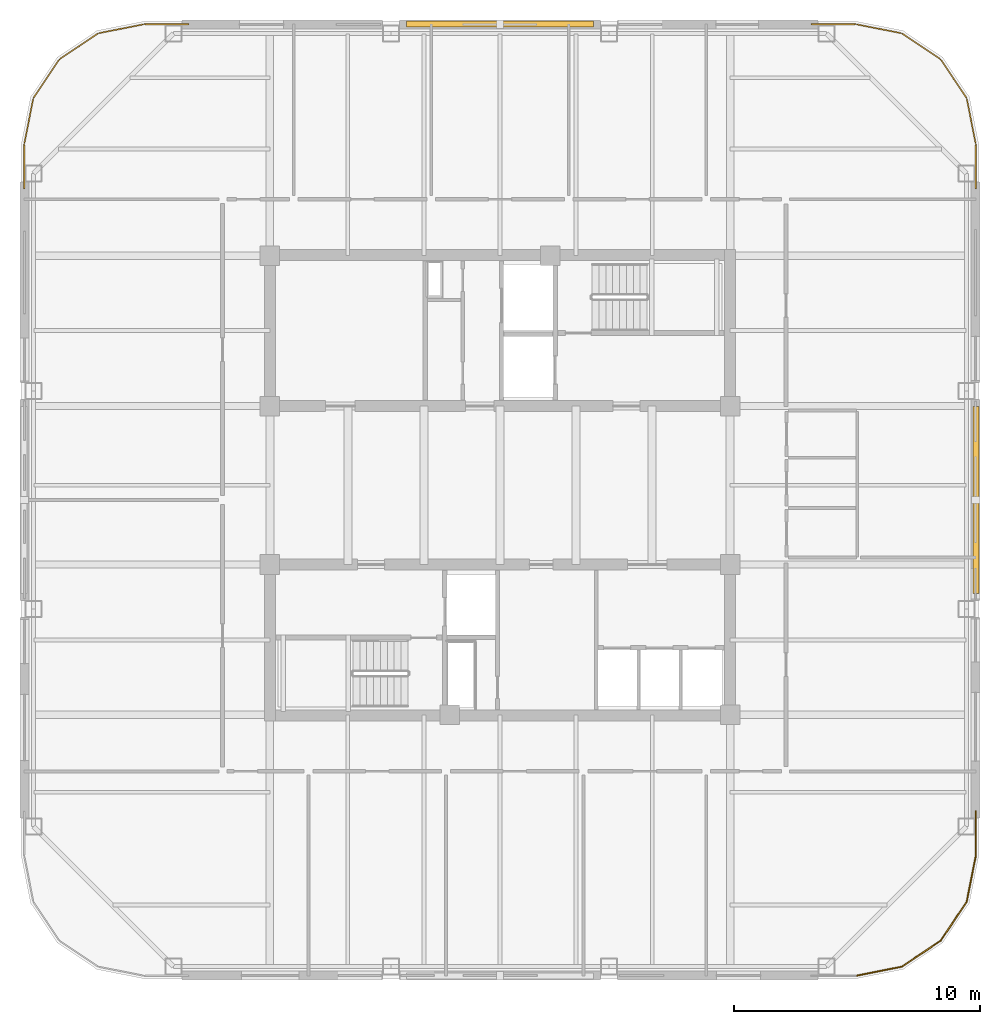
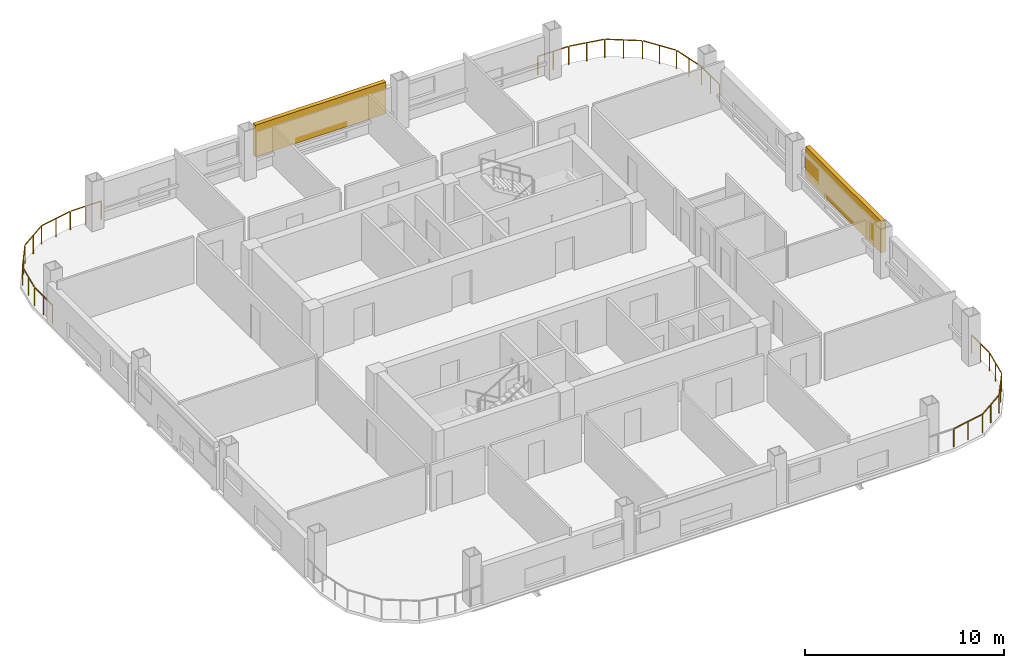
# One storey, part 8 of 8: 3 railings, 2 shading devices.
"""IFC4 building model written with IfcOpenShell, lengths in metres."""

from ifc_helpers import new_model, si_unit, direction, frame, origin, origin_2d, place, context, subcontext, project, spatial, rectangle, extrude, material, type_object, element, save


model = new_model("IFC4")

# Units and contexts
model_context = context("Model", 3, precision=1e-05, world=origin(), true_north=direction((0.0, 1.0)))
body_context = subcontext(model_context, "Body", "Model", "MODEL_VIEW")
ifc_project = project(units=[si_unit("LENGTHUNIT", "METRE"), si_unit("AREAUNIT", "SQUARE_METRE"), si_unit("VOLUMEUNIT", "CUBIC_METRE"), si_unit("PLANEANGLEUNIT", "RADIAN"), si_unit("MASSUNIT", "GRAM", prefix="KILO")], contexts=[model_context])

# Site, building, storey
site_placement = place(None, origin())
site = spatial("IfcSite", under=ifc_project, at=site_placement, CompositionType="ELEMENT")
building_placement = place(site_placement, origin())
building = spatial("IfcBuilding", under=site, at=building_placement, Name="Qhalaya Broadcast Tower", CompositionType="ELEMENT")
storey_placement = place(building_placement, frame((0.0, 0.0, 208.64990234375)))
storey = spatial("IfcBuildingStorey", under=building, at=storey_placement, Name="L61", CompositionType="ELEMENT", Elevation=208.64990234375)

# Railings
ifc_material_1 = material(Name="Powder-Coated Galvanised Steel", Category="steel")
railing_type = type_object("IfcRailingType", Name="Terrace, Sky-Pool & Lookout Glass Balustrade 1150", PredefinedType="BALUSTRADE", material=ifc_material_1)
railing_1_placement = place(storey_placement, frame((-19.3798828125, 12.681884765625, 0.0)))
element("IfcRailing", 1, at=railing_1_placement, inside=storey, type_object=railing_type, Name="L61 Rounded Corner Perimeter Guard 03", PredefinedType="BALUSTRADE", context=body_context, shape_type="SweptSolid", body=[
    extrude(rectangle(XDim=0.048095703125, YDim=0.048095703125, at=origin_2d()), frame((0.0, 0.0, 1.1259765625), z_axis=(0.0, 1.0, 0.0), x_axis=(-1.0, 0.0, 0.0)), (0.0, 0.0, 1.0), 1.777587890625),
    extrude(rectangle(XDim=0.048095703125, YDim=0.048095703125, at=origin_2d()), frame((0.005615234375, 1.834716796875, 1.1259765625), z_axis=(0.195037378397, 0.980795810058, 0.0), x_axis=(-0.980795810058, 0.195037378397, 0.0)), (0.0, 0.0, 1.0), 1.857421875),
    extrude(rectangle(XDim=0.048095703125, YDim=0.048095703125, at=origin_2d()), frame((0.3896484375, 3.708740234375, 1.1259765625), z_axis=(0.555617615188, 0.831437950597, 0.0), x_axis=(-0.831437950597, 0.555617615188, 0.0)), (0.0, 0.0, 1.0), 1.845458984375),
    extrude(rectangle(XDim=0.048095703125, YDim=0.048095703125, at=origin_2d()), frame((1.454833984375, 5.283203125, 1.1259765625), z_axis=(0.831437950597, 0.555617615188, 0.0), x_axis=(-0.555617615188, 0.831437950597, 0.0)), (0.0, 0.0, 1.0), 1.845458984375),
    extrude(rectangle(XDim=0.048095703125, YDim=0.048095703125, at=origin_2d()), frame((3.04150390625, 6.330078125, 1.1259765625), z_axis=(0.980795810058, 0.195037378397, 0.0), x_axis=(-0.195037378397, 0.980795810058, 0.0)), (0.0, 0.0, 1.0), 1.857421875),
    extrude(rectangle(XDim=0.048095703125, YDim=0.048095703125, at=origin_2d()), frame((4.92041015625, 6.697998046875, 1.1259765625), z_axis=(1.0, 0.0, 0.0), x_axis=(0.0, 1.0, 0.0)), (0.0, 0.0, 1.0), 1.777587890625),
    extrude(rectangle(XDim=0.0419921875, YDim=0.0419921875, at=origin_2d()), origin(), (0.0, 0.0, 1.0), 1.099853515625),
    extrude(rectangle(XDim=0.0419921875, YDim=0.0419921875, at=origin_2d()), frame((0.0, 0.9033203125, 0.0)), (0.0, 0.0, 1.0), 1.099853515625),
    extrude(rectangle(XDim=0.0419921875, YDim=0.0419921875, at=origin_2d()), frame((0.0, 1.806396484375, 0.0)), (0.0, 0.0, 1.0), 1.099853515625),
    extrude(rectangle(XDim=0.0419921875, YDim=0.0419921875, at=origin_2d()), frame((0.186767578125, 2.74560546875, 0.0)), (0.0, 0.0, 1.0), 1.099853515625),
    extrude(rectangle(XDim=0.0419921875, YDim=0.0419921875, at=origin_2d()), frame((0.37353515625, 3.684814453125, 0.0)), (0.0, 0.0, 1.0), 1.099853515625),
    extrude(rectangle(XDim=0.0419921875, YDim=0.0419921875, at=origin_2d()), frame((0.90234375, 4.47607421875, 0.0)), (0.0, 0.0, 1.0), 1.099853515625),
    extrude(rectangle(XDim=0.0419921875, YDim=0.0419921875, at=origin_2d()), frame((1.430908203125, 5.26708984375, 0.0)), (0.0, 0.0, 1.0), 1.099853515625),
    extrude(rectangle(XDim=0.0419921875, YDim=0.0419921875, at=origin_2d()), frame((2.22216796875, 5.7958984375, 0.0)), (0.0, 0.0, 1.0), 1.099853515625),
    extrude(rectangle(XDim=0.0419921875, YDim=0.0419921875, at=origin_2d()), frame((3.01318359375, 6.324462890625, 0.0)), (0.0, 0.0, 1.0), 1.099853515625),
    extrude(rectangle(XDim=0.0419921875, YDim=0.0419921875, at=origin_2d()), frame((3.952392578125, 6.51123046875, 0.0)), (0.0, 0.0, 1.0), 1.099853515625),
    extrude(rectangle(XDim=0.0419921875, YDim=0.0419921875, at=origin_2d()), frame((4.8916015625, 6.697998046875, 0.0)), (0.0, 0.0, 1.0), 1.099853515625),
    extrude(rectangle(XDim=0.0419921875, YDim=0.0419921875, at=origin_2d()), frame((5.794921875, 6.697998046875, 0.0)), (0.0, 0.0, 1.0), 1.099853515625),
    extrude(rectangle(XDim=0.0419921875, YDim=0.0419921875, at=origin_2d()), frame((6.697998046875, 6.697998046875, 0.0)), (0.0, 0.0, 1.0), 1.099853515625),
])
railing_2_placement = place(storey_placement, frame((12.681884765625, 19.3798828125, 0.0)))
element("IfcRailing", 2, at=railing_2_placement, inside=storey, type_object=railing_type, Name="L61 Rounded Corner Perimeter Guard 04", PredefinedType="BALUSTRADE", context=body_context, shape_type="SweptSolid", body=[
    extrude(rectangle(XDim=0.048095703125, YDim=0.048095703125, at=origin_2d()), frame((0.0, 0.0, 1.1259765625), z_axis=(1.0, 0.0, 0.0), x_axis=(0.0, 1.0, 0.0)), (0.0, 0.0, 1.0), 1.777587890625),
    extrude(rectangle(XDim=0.048095703125, YDim=0.048095703125, at=origin_2d()), frame((1.834716796875, -0.005615234375, 1.1259765625), z_axis=(0.980795810058, -0.195037378397, 0.0), x_axis=(0.195037378397, 0.980795810058, 0.0)), (0.0, 0.0, 1.0), 1.857421875),
    extrude(rectangle(XDim=0.048095703125, YDim=0.048095703125, at=origin_2d()), frame((3.708740234375, -0.3896484375, 1.1259765625), z_axis=(0.831437950597, -0.555617615188, 0.0), x_axis=(0.555617615188, 0.831437950597, 0.0)), (0.0, 0.0, 1.0), 1.845458984375),
    extrude(rectangle(XDim=0.048095703125, YDim=0.048095703125, at=origin_2d()), frame((5.283203125, -1.454833984375, 1.1259765625), z_axis=(0.555617615188, -0.831437950597, 0.0), x_axis=(0.831437950597, 0.555617615188, 0.0)), (0.0, 0.0, 1.0), 1.845458984375),
    extrude(rectangle(XDim=0.048095703125, YDim=0.048095703125, at=origin_2d()), frame((6.330078125, -3.04150390625, 1.1259765625), z_axis=(0.195037378397, -0.980795810058, 0.0), x_axis=(0.980795810058, 0.195037378397, 0.0)), (0.0, 0.0, 1.0), 1.857421875),
    extrude(rectangle(XDim=0.048095703125, YDim=0.048095703125, at=origin_2d()), frame((6.697998046875, -4.92041015625, 1.1259765625), z_axis=(0.0, -1.0, 0.0), x_axis=(1.0, 0.0, 0.0)), (0.0, 0.0, 1.0), 1.777587890625),
    extrude(rectangle(XDim=0.0419921875, YDim=0.0419921875, at=origin_2d()), origin(), (0.0, 0.0, 1.0), 1.099853515625),
    extrude(rectangle(XDim=0.0419921875, YDim=0.0419921875, at=origin_2d()), frame((0.9033203125, 0.0, 0.0)), (0.0, 0.0, 1.0), 1.099853515625),
    extrude(rectangle(XDim=0.0419921875, YDim=0.0419921875, at=origin_2d()), frame((1.806396484375, 0.0, 0.0)), (0.0, 0.0, 1.0), 1.099853515625),
    extrude(rectangle(XDim=0.0419921875, YDim=0.0419921875, at=origin_2d()), frame((2.74560546875, -0.186767578125, 0.0)), (0.0, 0.0, 1.0), 1.099853515625),
    extrude(rectangle(XDim=0.0419921875, YDim=0.0419921875, at=origin_2d()), frame((3.684814453125, -0.37353515625, 0.0)), (0.0, 0.0, 1.0), 1.099853515625),
    extrude(rectangle(XDim=0.0419921875, YDim=0.0419921875, at=origin_2d()), frame((4.47607421875, -0.90234375, 0.0)), (0.0, 0.0, 1.0), 1.099853515625),
    extrude(rectangle(XDim=0.0419921875, YDim=0.0419921875, at=origin_2d()), frame((5.26708984375, -1.430908203125, 0.0)), (0.0, 0.0, 1.0), 1.099853515625),
    extrude(rectangle(XDim=0.0419921875, YDim=0.0419921875, at=origin_2d()), frame((5.7958984375, -2.22216796875, 0.0)), (0.0, 0.0, 1.0), 1.099853515625),
    extrude(rectangle(XDim=0.0419921875, YDim=0.0419921875, at=origin_2d()), frame((6.324462890625, -3.01318359375, 0.0)), (0.0, 0.0, 1.0), 1.099853515625),
    extrude(rectangle(XDim=0.0419921875, YDim=0.0419921875, at=origin_2d()), frame((6.51123046875, -3.952392578125, 0.0)), (0.0, 0.0, 1.0), 1.099853515625),
    extrude(rectangle(XDim=0.0419921875, YDim=0.0419921875, at=origin_2d()), frame((6.697998046875, -4.8916015625, 0.0)), (0.0, 0.0, 1.0), 1.099853515625),
    extrude(rectangle(XDim=0.0419921875, YDim=0.0419921875, at=origin_2d()), frame((6.697998046875, -5.794921875, 0.0)), (0.0, 0.0, 1.0), 1.099853515625),
    extrude(rectangle(XDim=0.0419921875, YDim=0.0419921875, at=origin_2d()), frame((6.697998046875, -6.697998046875, 0.0)), (0.0, 0.0, 1.0), 1.099853515625),
])
railing_3_placement = place(storey_placement, frame((19.3798828125, -12.681884765625, 0.0)))
element("IfcRailing", 3, at=railing_3_placement, inside=storey, type_object=railing_type, Name="L61 Rounded Corner Perimeter Guard 05", PredefinedType="BALUSTRADE", context=body_context, shape_type="SweptSolid", body=[
    extrude(rectangle(XDim=0.048095703125, YDim=0.048095703125, at=origin_2d()), frame((0.0, 0.0, 1.1259765625), z_axis=(0.0, -1.0, 0.0), x_axis=(1.0, 0.0, 0.0)), (0.0, 0.0, 1.0), 1.777587890625),
    extrude(rectangle(XDim=0.048095703125, YDim=0.048095703125, at=origin_2d()), frame((-0.005615234375, -1.834716796875, 1.1259765625), z_axis=(-0.195037378397, -0.980795810058, 0.0), x_axis=(0.980795810058, -0.195037378397, 0.0)), (0.0, 0.0, 1.0), 1.857421875),
    extrude(rectangle(XDim=0.048095703125, YDim=0.048095703125, at=origin_2d()), frame((-0.3896484375, -3.708740234375, 1.1259765625), z_axis=(-0.555617615188, -0.831437950597, 0.0), x_axis=(0.831437950597, -0.555617615188, 0.0)), (0.0, 0.0, 1.0), 1.845458984375),
    extrude(rectangle(XDim=0.048095703125, YDim=0.048095703125, at=origin_2d()), frame((-1.454833984375, -5.283203125, 1.1259765625), z_axis=(-0.831437950597, -0.555617615188, 0.0), x_axis=(0.555617615188, -0.831437950597, 0.0)), (0.0, 0.0, 1.0), 1.845458984375),
    extrude(rectangle(XDim=0.048095703125, YDim=0.048095703125, at=origin_2d()), frame((-3.04150390625, -6.330078125, 1.1259765625), z_axis=(-0.980795810058, -0.195037378397, 0.0), x_axis=(0.195037378397, -0.980795810058, 0.0)), (0.0, 0.0, 1.0), 1.88623046875),
    extrude(rectangle(XDim=0.0419921875, YDim=0.0419921875, at=origin_2d()), origin(), (0.0, 0.0, 1.0), 1.099853515625),
    extrude(rectangle(XDim=0.0419921875, YDim=0.0419921875, at=origin_2d()), frame((0.0, -0.9033203125, 0.0)), (0.0, 0.0, 1.0), 1.099853515625),
    extrude(rectangle(XDim=0.0419921875, YDim=0.0419921875, at=origin_2d()), frame((0.0, -1.806396484375, 0.0)), (0.0, 0.0, 1.0), 1.099853515625),
    extrude(rectangle(XDim=0.0419921875, YDim=0.0419921875, at=origin_2d()), frame((-0.186767578125, -2.74560546875, 0.0)), (0.0, 0.0, 1.0), 1.099853515625),
    extrude(rectangle(XDim=0.0419921875, YDim=0.0419921875, at=origin_2d()), frame((-0.37353515625, -3.684814453125, 0.0)), (0.0, 0.0, 1.0), 1.099853515625),
    extrude(rectangle(XDim=0.0419921875, YDim=0.0419921875, at=origin_2d()), frame((-0.90234375, -4.47607421875, 0.0)), (0.0, 0.0, 1.0), 1.099853515625),
    extrude(rectangle(XDim=0.0419921875, YDim=0.0419921875, at=origin_2d()), frame((-1.430908203125, -5.26708984375, 0.0)), (0.0, 0.0, 1.0), 1.099853515625),
    extrude(rectangle(XDim=0.0419921875, YDim=0.0419921875, at=origin_2d()), frame((-2.22216796875, -5.7958984375, 0.0)), (0.0, 0.0, 1.0), 1.099853515625),
    extrude(rectangle(XDim=0.0419921875, YDim=0.0419921875, at=origin_2d()), frame((-3.01318359375, -6.324462890625, 0.0)), (0.0, 0.0, 1.0), 1.099853515625),
    extrude(rectangle(XDim=0.0419921875, YDim=0.0419921875, at=origin_2d()), frame((-3.952392578125, -6.51123046875, 0.0)), (0.0, 0.0, 1.0), 1.099853515625),
    extrude(rectangle(XDim=0.0419921875, YDim=0.0419921875, at=origin_2d()), frame((-4.8916015625, -6.697998046875, 0.0)), (0.0, 0.0, 1.0), 1.099853515625),
])

# Shading devices
ifc_material_2 = material(Name="Fired Architectural Terracotta", Category="masonry")
shading_device_type = type_object("IfcShadingDeviceType", Name="Terracotta Baguette Solar Screen Assembly TBS-01", PredefinedType="USERDEFINED", material=ifc_material_2)
for number, where, z_axis, x_axis, name in (
    (4, (19.3798828125, 0.0, 0.80078125), (0.0, 0.0, 1.0), (0.0, 1.0, 0.0), "L61 Fired Terracotta Baguette Screen E"),
    (5, (0.0, 19.3798828125, 0.80078125), (0.0, 0.0, 1.0), (-1.0, 0.0, 0.0), "L61 Fired Terracotta Baguette Screen N"),
):
    element("IfcShadingDevice", number, at=place(storey_placement, frame(where, z_axis=z_axis, x_axis=x_axis)), inside=storey, type_object=shading_device_type, Name=name, ObjectType="BAGUETTE", PredefinedType="USERDEFINED", context=body_context, shape_type="SweptSolid", body=[
        extrude(rectangle(XDim=7.60009765625, YDim=0.239990234375, at=origin_2d()), origin(), (0.0, 0.0, 1.0), 1.945068359375),
    ])

save(model, "model.ifc")
